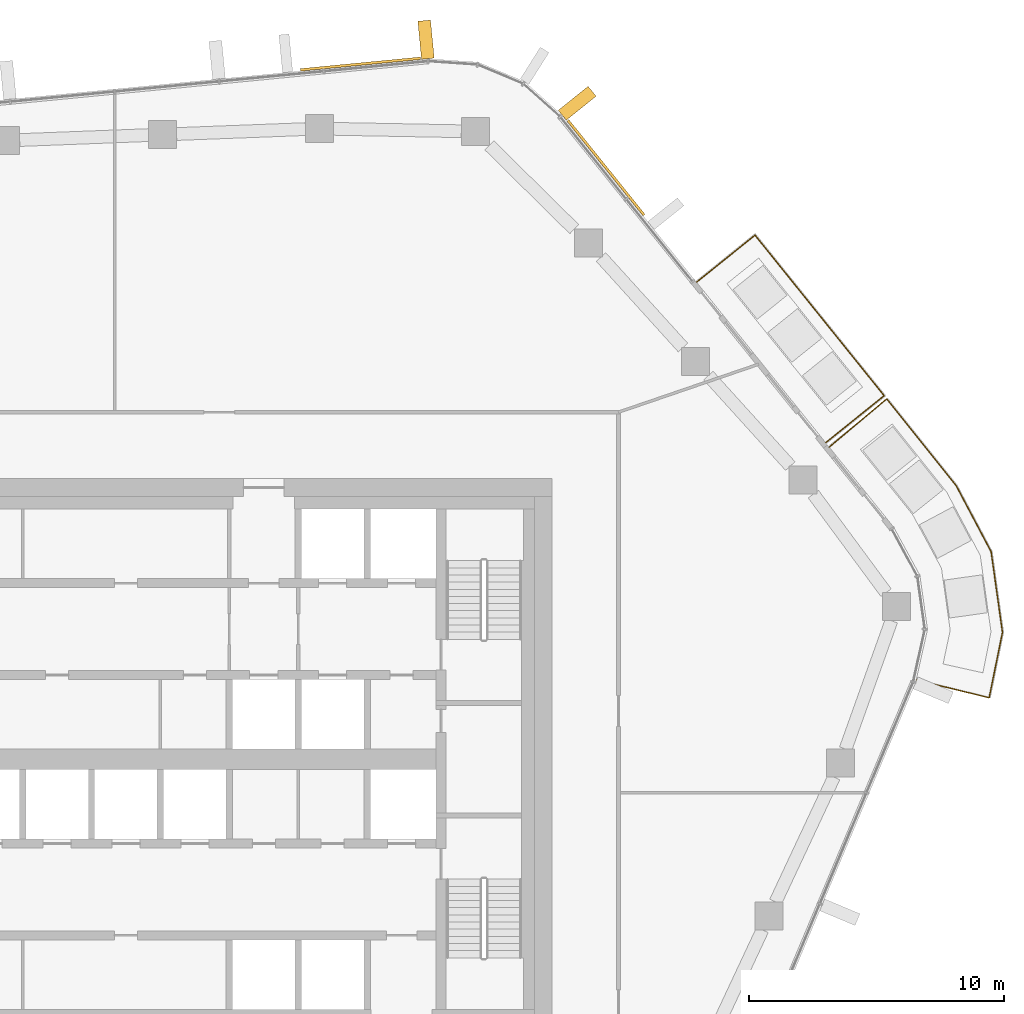
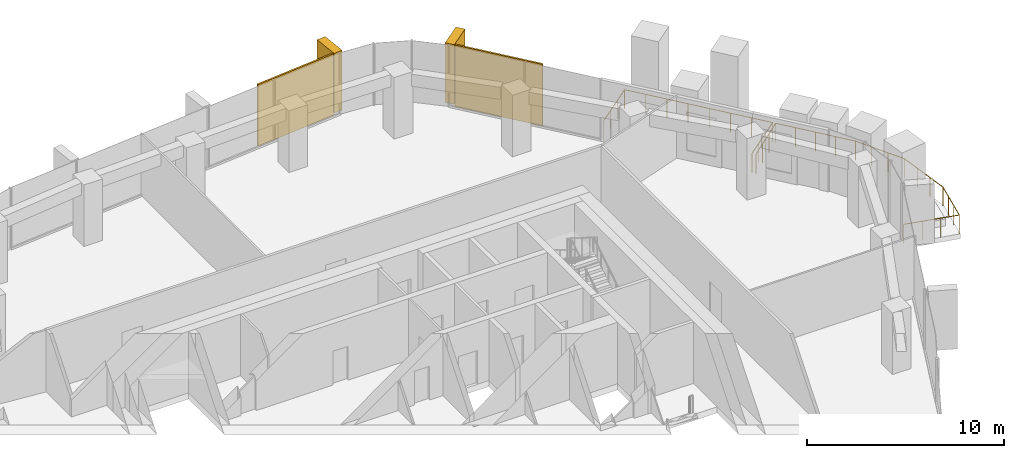
# One storey, part 20 of 20: 4 coverings, 2 railings, 2 elements without a shape of their own.
"""IFC4 building model written with IfcOpenShell, lengths in metres."""

from ifc_helpers import new_model, si_unit, direction, frame, origin, origin_2d, place, context, subcontext, project, spatial, rectangle, circle, extrude, material, layer, layer_set, material_profile, profile_set, type_object, element, aggregate, save


model = new_model("IFC4")

# Units and contexts
model_context = context("Model", 3, precision=1e-05, world=origin(), true_north=direction((0.0, 1.0)))
body_context = subcontext(model_context, "Body", "Model", "MODEL_VIEW")
ifc_project = project(units=[si_unit("LENGTHUNIT", "METRE"), si_unit("AREAUNIT", "SQUARE_METRE"), si_unit("VOLUMEUNIT", "CUBIC_METRE"), si_unit("PLANEANGLEUNIT", "RADIAN"), si_unit("MASSUNIT", "GRAM", prefix="KILO")], contexts=[model_context])

# Site, building, storey
site_placement = place(None, origin())
site = spatial("IfcSite", under=ifc_project, at=site_placement, CompositionType="ELEMENT")
building_placement = place(site_placement, origin())
building = spatial("IfcBuilding", under=site, at=building_placement, Name="Dongbaek Canopy Tower", CompositionType="ELEMENT")
storey_placement = place(building_placement, frame((0.0, 0.0, 262.199951171875)))
storey = spatial("IfcBuildingStorey", under=building, at=storey_placement, Name="L55", CompositionType="ELEMENT", Elevation=262.199951171875)

# Railings
ifc_material_1 = material(Name="Stainless steel", Category="steel")
railing_type = type_object("IfcRailingType", Name="Balcony balustrade 1200", PredefinedType="BALUSTRADE", material=ifc_material_1)
railing_1_placement = place(storey_placement, frame((24.720947265625, 12.40380859375, 0.0)))
element("IfcRailing", 1, at=railing_1_placement, inside=storey, type_object=railing_type, Name="Balcony guard L55 1", PredefinedType="BALUSTRADE", context=body_context, shape_type="SweptSolid", body=[
    extrude(circle(Radius=0.02392578125, at=origin_2d()), frame((0.0, 0.0, 1.17578125), z_axis=(0.779180828262, 0.6267991998, 0.0), x_axis=(-0.6267991998, 0.779180828262, 0.0)), (0.0, 0.0, 1.0), 2.93994140625),
    extrude(circle(Radius=0.02392578125, at=origin_2d()), frame((2.290771484375, 1.8427734375, 1.17578125), z_axis=(-0.626853634745, 0.779137035834, 0.0), x_axis=(-0.779137035834, -0.626853634745, 0.0)), (0.0, 0.0, 1.0), 8.07373046875),
    extrude(circle(Radius=0.02392578125, at=origin_2d()), frame((-2.770263671875, 8.13330078125, 1.17578125), z_axis=(-0.779140271984, -0.626849612406, 0.0), x_axis=(0.626849612406, -0.779140271984, 0.0)), (0.0, 0.0, 1.0), 2.940185546875),
    extrude(circle(Radius=0.02099609375, at=origin_2d()), origin(), (0.0, 0.0, 1.0), 1.15185546875),
    extrude(circle(Radius=0.02099609375, at=origin_2d()), frame((0.763671875, 0.6142578125, 0.0)), (0.0, 0.0, 1.0), 1.15185546875),
    extrude(circle(Radius=0.02099609375, at=origin_2d()), frame((1.527099609375, 1.228515625, 0.0)), (0.0, 0.0, 1.0), 1.15185546875),
    extrude(circle(Radius=0.02099609375, at=origin_2d()), frame((2.290771484375, 1.8427734375, 0.0)), (0.0, 0.0, 1.0), 1.15185546875),
    extrude(circle(Radius=0.02099609375, at=origin_2d()), frame((1.56787109375, 2.741455078125, 0.0)), (0.0, 0.0, 1.0), 1.15185546875),
    extrude(circle(Radius=0.02099609375, at=origin_2d()), frame((0.8447265625, 3.64013671875, 0.0)), (0.0, 0.0, 1.0), 1.15185546875),
    extrude(circle(Radius=0.02099609375, at=origin_2d()), frame((0.121826171875, 4.538818359375, 0.0)), (0.0, 0.0, 1.0), 1.15185546875),
    extrude(circle(Radius=0.02099609375, at=origin_2d()), frame((-0.601318359375, 5.437255859375, 0.0)), (0.0, 0.0, 1.0), 1.15185546875),
    extrude(circle(Radius=0.02099609375, at=origin_2d()), frame((-1.32421875, 6.3359375, 0.0)), (0.0, 0.0, 1.0), 1.15185546875),
    extrude(circle(Radius=0.02099609375, at=origin_2d()), frame((-2.04736328125, 7.234619140625, 0.0)), (0.0, 0.0, 1.0), 1.15185546875),
    extrude(circle(Radius=0.02099609375, at=origin_2d()), frame((-2.770263671875, 8.13330078125, 0.0)), (0.0, 0.0, 1.0), 1.15185546875),
    extrude(circle(Radius=0.02099609375, at=origin_2d()), frame((-3.533935546875, 7.51904296875, 0.0)), (0.0, 0.0, 1.0), 1.15185546875),
    extrude(circle(Radius=0.02099609375, at=origin_2d()), frame((-4.29736328125, 6.904541015625, 0.0)), (0.0, 0.0, 1.0), 1.15185546875),
    extrude(circle(Radius=0.02099609375, at=origin_2d()), frame((-5.06103515625, 6.290283203125, 0.0)), (0.0, 0.0, 1.0), 1.15185546875),
])
railing_2_placement = place(storey_placement, frame((28.269287109375, 3.107177734375, 0.0)))
element("IfcRailing", 2, at=railing_2_placement, inside=storey, type_object=railing_type, Name="Balcony guard L55 5", PredefinedType="BALUSTRADE", context=body_context, shape_type="SweptSolid", body=[
    extrude(circle(Radius=0.02392578125, at=origin_2d()), frame((0.0, 0.0, 1.17578125), z_axis=(0.971504021422, -0.237023071369, 0.0), x_axis=(0.237023071369, 0.971504021422, 0.0)), (0.0, 0.0, 1.0), 2.940673828125),
    extrude(circle(Radius=0.02392578125, at=origin_2d()), frame((2.85693359375, -0.697021484375, 1.17578125), z_axis=(0.199455050694, 0.979906976581, 0.0), x_axis=(-0.979906976581, 0.199455050694, 0.0)), (0.0, 0.0, 1.0), 2.614501953125),
    extrude(circle(Radius=0.02392578125, at=origin_2d()), frame((3.37841796875, 1.864990234375, 1.17578125), z_axis=(-0.139212593341, 0.990262517646, 0.0), x_axis=(-0.990262517646, -0.139212593341, 0.0)), (0.0, 0.0, 1.0), 3.188232421875),
    extrude(circle(Radius=0.02392578125, at=origin_2d()), frame((2.9345703125, 5.022216796875, 1.17578125), z_axis=(-0.467282182104, 0.884108229963, 0.0), x_axis=(-0.884108229963, -0.467282182104, 0.0)), (0.0, 0.0, 1.0), 2.927490234375),
    extrude(circle(Radius=0.02392578125, at=origin_2d()), frame((1.566650390625, 7.6103515625, 1.17578125), z_axis=(-0.624729189866, 0.78084149437, 0.0), x_axis=(-0.78084149437, -0.624729189866, 0.0)), (0.0, 0.0, 1.0), 4.360107421875),
    extrude(circle(Radius=0.02392578125, at=origin_2d()), frame((-1.1572265625, 11.014892578125, 1.17578125), z_axis=(-0.766169127409, -0.642638987461, 0.0), x_axis=(0.642638987461, -0.766169127409, 0.0)), (0.0, 0.0, 1.0), 2.94091796875),
    extrude(circle(Radius=0.02099609375, at=origin_2d()), origin(), (0.0, 0.0, 1.0), 1.15185546875),
    extrude(circle(Radius=0.02099609375, at=origin_2d()), frame((0.952392578125, -0.232421875, 0.0)), (0.0, 0.0, 1.0), 1.15185546875),
    extrude(circle(Radius=0.02099609375, at=origin_2d()), frame((1.904541015625, -0.464599609375, 0.0)), (0.0, 0.0, 1.0), 1.15185546875),
    extrude(circle(Radius=0.02099609375, at=origin_2d()), frame((2.85693359375, -0.697021484375, 0.0)), (0.0, 0.0, 1.0), 1.15185546875),
    extrude(circle(Radius=0.02099609375, at=origin_2d()), frame((3.03076171875, 0.156982421875, 0.0)), (0.0, 0.0, 1.0), 1.15185546875),
    extrude(circle(Radius=0.02099609375, at=origin_2d()), frame((3.20458984375, 1.010986328125, 0.0)), (0.0, 0.0, 1.0), 1.15185546875),
    extrude(circle(Radius=0.02099609375, at=origin_2d()), frame((3.37841796875, 1.864990234375, 0.0)), (0.0, 0.0, 1.0), 1.15185546875),
    extrude(circle(Radius=0.02099609375, at=origin_2d()), frame((3.23046875, 2.91748046875, 0.0)), (0.0, 0.0, 1.0), 1.15185546875),
    extrude(circle(Radius=0.02099609375, at=origin_2d()), frame((3.08251953125, 3.9697265625, 0.0)), (0.0, 0.0, 1.0), 1.15185546875),
    extrude(circle(Radius=0.02099609375, at=origin_2d()), frame((2.9345703125, 5.022216796875, 0.0)), (0.0, 0.0, 1.0), 1.15185546875),
    extrude(circle(Radius=0.02099609375, at=origin_2d()), frame((2.478515625, 5.885009765625, 0.0)), (0.0, 0.0, 1.0), 1.15185546875),
    extrude(circle(Radius=0.02099609375, at=origin_2d()), frame((2.022705078125, 6.74755859375, 0.0)), (0.0, 0.0, 1.0), 1.15185546875),
    extrude(circle(Radius=0.02099609375, at=origin_2d()), frame((1.566650390625, 7.6103515625, 0.0)), (0.0, 0.0, 1.0), 1.15185546875),
    extrude(circle(Radius=0.02099609375, at=origin_2d()), frame((0.8857421875, 8.46142578125, 0.0)), (0.0, 0.0, 1.0), 1.15185546875),
    extrude(circle(Radius=0.02099609375, at=origin_2d()), frame((0.20458984375, 9.3125, 0.0)), (0.0, 0.0, 1.0), 1.15185546875),
    extrude(circle(Radius=0.02099609375, at=origin_2d()), frame((-0.476318359375, 10.163818359375, 0.0)), (0.0, 0.0, 1.0), 1.15185546875),
    extrude(circle(Radius=0.02099609375, at=origin_2d()), frame((-1.1572265625, 11.014892578125, 0.0)), (0.0, 0.0, 1.0), 1.15185546875),
    extrude(circle(Radius=0.02099609375, at=origin_2d()), frame((-1.908203125, 10.385009765625, 0.0)), (0.0, 0.0, 1.0), 1.15185546875),
    extrude(circle(Radius=0.02099609375, at=origin_2d()), frame((-2.659423828125, 9.7548828125, 0.0)), (0.0, 0.0, 1.0), 1.15185546875),
    extrude(circle(Radius=0.02099609375, at=origin_2d()), frame((-3.410400390625, 9.125, 0.0)), (0.0, 0.0, 1.0), 1.15185546875),
])

# Curtain wall, covering
ifc_material_2 = material(Name="Aluminium 6063-T6 pale anodised", Category="aluminium")
ifc_layer_1 = layer(ifc_material_2, 0.199951171875)
ifc_layer_set_1 = layer_set([ifc_layer_1], Name="CW-1 unitised tower curtain wall")
curtain_wall_type = type_object("IfcCurtainWallType", Name="CW-1 unitised tower curtain wall", PredefinedType="NOTDEFINED", material=ifc_layer_set_1)
curtain_wall_1_placement = place(storey_placement, origin())
curtain_wall_1 = element("IfcCurtainWall", 3, at=curtain_wall_1_placement, inside=storey, type_object=curtain_wall_type, Name="CW-1 curtain wall F0.1", PredefinedType="NOTDEFINED")
ifc_material_3 = material(Name="Perforated aluminium 6063-T6 pale metal screen", Category="aluminium")
ifc_layer_2 = layer(ifc_material_3, 0.10009765625)
ifc_layer_set_2 = layer_set([ifc_layer_2], Name="Facet screen FS1 100 pale metal")
covering_type_1 = type_object("IfcCoveringType", Name="Facet screen FS1 100 pale metal", PredefinedType="CLADDING", material=ifc_layer_set_2)
covering_1_placement = place(storey_placement, frame((16.108642578125, 23.181396484375, 0.0), z_axis=(0.0, 0.0, 1.0), x_axis=(-0.62686629467, 0.779126850138, 0.0)))
covering_1 = element("IfcCovering", 4, at=covering_1_placement, type_object=covering_type_1, Name="Facet screen L55 F0", PredefinedType="CLADDING", context=body_context, shape_type="SweptSolid", body=[
    extrude(rectangle(XDim=4.765869140625, YDim=0.10009765625, at=origin_2d()), origin(), (0.0, 0.0, 1.0), 3.820068359375),
])

curtain_wall_2_placement = place(storey_placement, origin())
curtain_wall_2 = element("IfcCurtainWall", 5, at=curtain_wall_2_placement, inside=storey, type_object=curtain_wall_type, Name="CW-1 curtain wall F1.1", PredefinedType="NOTDEFINED")
covering_2_placement = place(storey_placement, frame((6.48486328125, 27.2412109375, 0.0), z_axis=(0.0, 0.0, 1.0), x_axis=(-0.99533241214, -0.096505903151, 0.0)))
covering_2 = element("IfcCovering", 6, at=covering_2_placement, type_object=covering_type_1, Name="Facet screen L55 F1", PredefinedType="CLADDING", context=body_context, shape_type="SweptSolid", body=[
    extrude(rectangle(XDim=4.72607421875, YDim=0.10009765625, at=origin_2d()), origin(), (0.0, 0.0, 1.0), 3.820068359375),
])

# Covering
ifc_material_4 = material(Name="Aluminium 6063-T6 pale metal fin", Category="aluminium")
ifc_material_profile = material_profile(ifc_material_4, rectangle(XDim=1.5, YDim=0.5, at=origin_2d()), Name="Fin FN1 500 x 1500 pale metal")
ifc_profile_set = profile_set([ifc_material_profile], Name="Aluminium 6063-T6 pale metal fin")
covering_type_2 = type_object("IfcCoveringType", Name="Fin FN1 500 x 1500 pale metal", PredefinedType="CLADDING", material=ifc_profile_set)
covering_3_placement = place(storey_placement, frame((14.9814453125, 25.705322265625, 0.1201171875), z_axis=(0.0, 0.0, 1.0), x_axis=(0.779126406475, 0.626866846096, 0.0)))
covering_3 = element("IfcCovering", 7, at=covering_3_placement, type_object=covering_type_2, Name="Fin F0.1.3", PredefinedType="CLADDING", context=body_context, shape_type="SweptSolid", body=[
    extrude(rectangle(XDim=1.5, YDim=0.5, at=origin_2d()), origin(), (0.0, 0.0, 1.0), 3.699951171875),
])

aggregate(curtain_wall_1, [covering_3, covering_1])

covering_4_placement = place(storey_placement, frame((9.0576171875, 28.197998046875, 0.1201171875), z_axis=(0.0, 0.0, 1.0), x_axis=(-0.096505718384, 0.995332430055, 0.0)))
covering_4 = element("IfcCovering", 8, at=covering_4_placement, type_object=covering_type_2, Name="Fin F1.1.1", PredefinedType="CLADDING", context=body_context, shape_type="SweptSolid", body=[
    extrude(rectangle(XDim=1.5, YDim=0.5, at=origin_2d()), origin(), (0.0, 0.0, 1.0), 3.699951171875),
])

aggregate(curtain_wall_2, [covering_4, covering_2])

save(model, "model.ifc")
